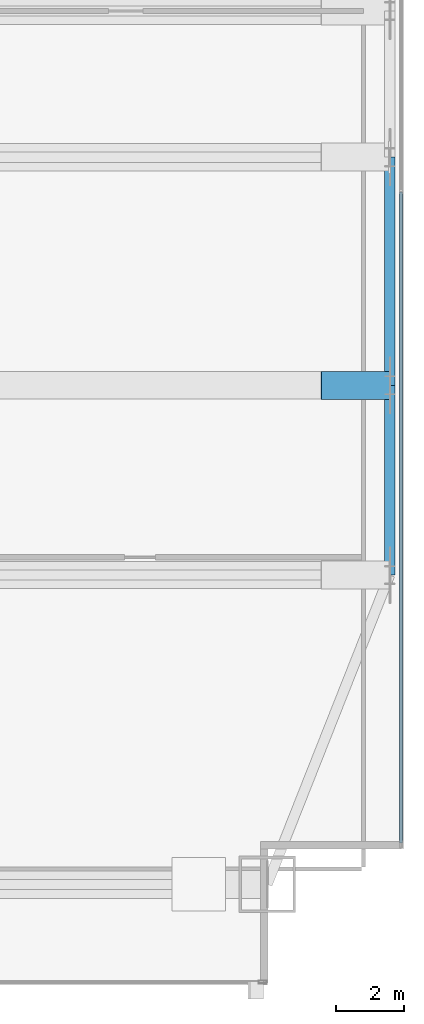
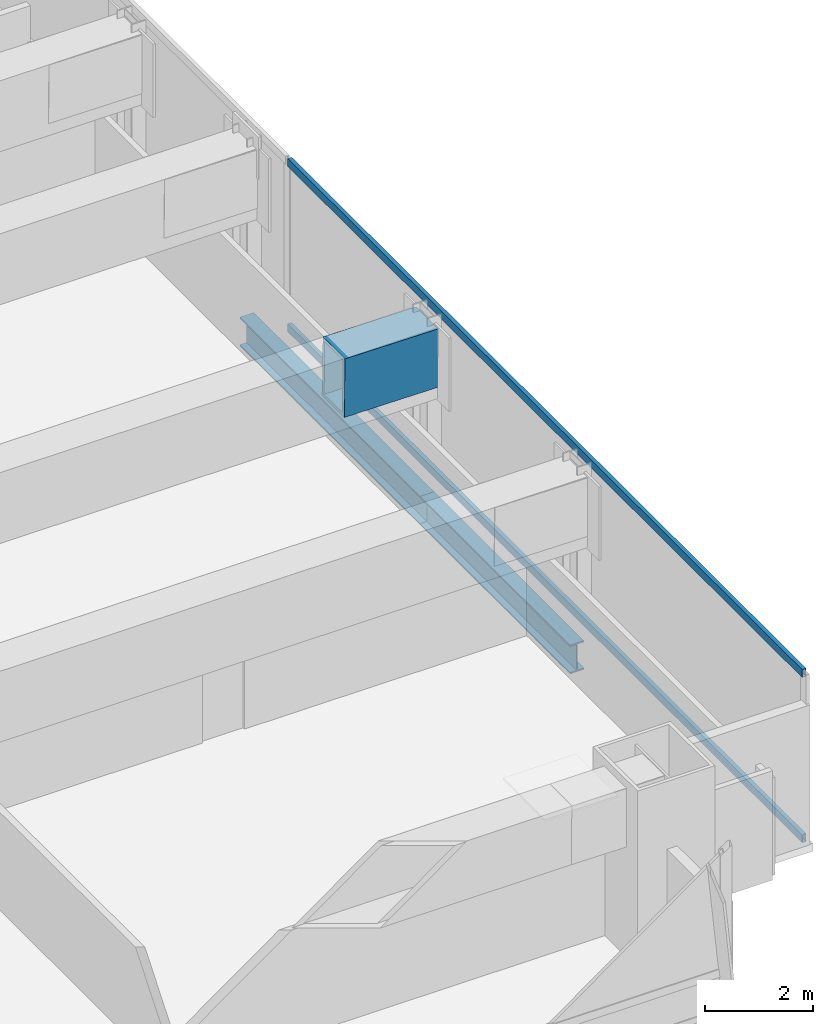
# One storey, part 19 of 32: 3 beams, 2 members, 1 element without a shape of its own.
"""IFC4 building model written with IfcOpenShell, lengths in metres."""

from ifc_helpers import new_model, si_unit, direction, frame, origin, origin_2d, place, context, subcontext, project, spatial, hollow_rectangle, i_section, extrude, material, material_profile, profile_set, type_object, element, aggregate, save


model = new_model("IFC4")

# Units and contexts
model_context = context("Model", 3, precision=1e-05, world=origin(), true_north=direction((0.0, 1.0)))
body_context = subcontext(model_context, "Body", "Model", "MODEL_VIEW")
ifc_project = project(units=[si_unit("LENGTHUNIT", "METRE"), si_unit("AREAUNIT", "SQUARE_METRE"), si_unit("VOLUMEUNIT", "CUBIC_METRE"), si_unit("PLANEANGLEUNIT", "RADIAN"), si_unit("MASSUNIT", "GRAM", prefix="KILO")], contexts=[model_context])

# Site, building, storey
site_placement = place(None, origin())
site = spatial("IfcSite", under=ifc_project, at=site_placement, CompositionType="ELEMENT")
building_placement = place(site_placement, origin())
building = spatial("IfcBuilding", under=site, at=building_placement, Name="Khoronbel Lancet Exchange", CompositionType="ELEMENT")
storey_placement = place(building_placement, frame((0.0, 0.0, 77.800048828125)))
storey = spatial("IfcBuildingStorey", under=building, at=storey_placement, Name="L18", CompositionType="ELEMENT", Elevation=77.800048828125)

# Beams
ifc_material_1 = material(Name="Steel S355", Category="steel")
ifc_material_profile_1 = material_profile(ifc_material_1, i_section(OverallWidth=0.300048828125, OverallDepth=0.64990234375, WebThickness=0.01611328125, FlangeThickness=0.031005859375, at=origin_2d()), Name="HEB 650")
ifc_profile_set_1 = profile_set([ifc_material_profile_1], Name="Steel S355")
beam_type_1 = type_object("IfcBeamType", Name="BM-BSP1", PredefinedType="SPANDREL", material=ifc_profile_set_1)
beam_1_placement = place(storey_placement, frame((71.6298828125, 19.199951171875, -0.505126953125), z_axis=(0.0, 1.0, 0.0), x_axis=(-1.0, 0.0, 0.0)))
element("IfcBeam", 1, at=beam_1_placement, inside=storey, type_object=beam_type_1, Name="Level L18 perimeter spandrel beam SP11", PredefinedType="SPANDREL", context=body_context, shape_type="SweptSolid", body=[
    extrude(i_section(OverallWidth=0.300048828125, OverallDepth=0.64990234375, WebThickness=0.01611328125, FlangeThickness=0.031005859375, at=origin_2d()), origin(), (0.0, 0.0, 1.0), 5.550048828125),
])
beam_2_placement = place(storey_placement, frame((71.6298828125, 24.75, -0.505126953125), z_axis=(0.0, 1.0, 0.0), x_axis=(-1.0, 0.0, 0.0)))
element("IfcBeam", 2, at=beam_2_placement, inside=storey, type_object=beam_type_1, Name="Level L18 perimeter spandrel beam SP12", PredefinedType="SPANDREL", context=body_context, shape_type="SweptSolid", body=[
    extrude(i_section(OverallWidth=0.300048828125, OverallDepth=0.64990234375, WebThickness=0.01611328125, FlangeThickness=0.031005859375, at=origin_2d()), origin(), (0.0, 0.0, 1.0), 6.675048828125),
])
ifc_material_2 = material(Name="Steel S460", Category="steel")
ifc_material_profile_2 = material_profile(ifc_material_2, hollow_rectangle(XDim=0.820068359375, YDim=1.320068359375, WallThickness=0.070068359375, at=origin_2d()), Name="BOX 820x1320x70")
ifc_profile_set_2 = profile_set([ifc_material_profile_2], Name="Steel S460")
beam_type_2 = type_object("IfcBeamType", Name="BM-TG4", PredefinedType="USERDEFINED", material=ifc_profile_set_2)
beam_3_placement = place(storey_placement, frame((71.6298828125, 24.75, 3.139892578125), z_axis=(-0.99994990606, 0.0, 0.010009264196), x_axis=(0.0, -1.0, 0.0)))
element("IfcBeam", 3, at=beam_3_placement, inside=storey, type_object=beam_type_2, Name="Setback transfer knee-brace girder L18-EC-2", ObjectType="TRANSFER GIRDER", PredefinedType="USERDEFINED", context=body_context, shape_type="SweptSolid", body=[
    extrude(hollow_rectangle(XDim=0.820068359375, YDim=1.320068359375, WallThickness=0.070068359375, at=origin_2d()), origin(), (0.0, 0.0, 1.0), 2.0),
])

# Curtain wall, members
ifc_material_3 = material(Name="Low-E Solar Control Insulating Glass", Category="glass")
curtain_wall_type = type_object("IfcCurtainWallType", Name="CW-4", PredefinedType="NOTDEFINED", material=ifc_material_3)
curtain_wall_placement = place(storey_placement, origin())
curtain_wall = element("IfcCurtainWall", 4, at=curtain_wall_placement, inside=storey, type_object=curtain_wall_type, Name="Unitised curtain wall CW-L18-E09", PredefinedType="NOTDEFINED")
ifc_material_4 = material(Name="Bronze-Anodised Aluminium 6063-T6", Category="aluminium")
ifc_material_profile_3 = material_profile(ifc_material_4, hollow_rectangle(XDim=0.0849609375, YDim=0.179931640625, WallThickness=0.0048828125, at=origin_2d()), Name="ALU TRANSOM 85x180")
ifc_profile_set_3 = profile_set([ifc_material_profile_3], Name="Bronze-Anodised Aluminium 6063-T6")
member_type = type_object("IfcMemberType", Name="MEM-CWT1", PredefinedType="USERDEFINED", material=ifc_profile_set_3)
member_1_placement = place(storey_placement, frame((71.9599609375, 30.41259765625, 0.04248046875), z_axis=(0.0, -1.0, 0.0), x_axis=(1.0, 0.0, 0.0)))
member_1 = element("IfcMember", 5, at=member_1_placement, type_object=member_type, Name="CW4 transom 2.1", ObjectType="TRANSOM", PredefinedType="USERDEFINED", context=body_context, shape_type="SweptSolid", body=[
    extrude(hollow_rectangle(XDim=0.0849609375, YDim=0.179931640625, WallThickness=0.0048828125, at=origin_2d()), origin(), (0.0, 0.0, 1.0), 19.047607421875),
])
member_2_placement = place(storey_placement, frame((71.9599609375, 30.41259765625, 3.77734375), z_axis=(0.0, -1.0, 0.0), x_axis=(1.0, 0.0, 0.0)))
member_2 = element("IfcMember", 6, at=member_2_placement, type_object=member_type, Name="CW4 transom 2.2", ObjectType="TRANSOM", PredefinedType="USERDEFINED", context=body_context, shape_type="SweptSolid", body=[
    extrude(hollow_rectangle(XDim=0.0849609375, YDim=0.179931640625, WallThickness=0.0048828125, at=origin_2d()), origin(), (0.0, 0.0, 1.0), 19.047607421875),
])
aggregate(curtain_wall, [member_1, member_2])

save(model, "model.ifc")
